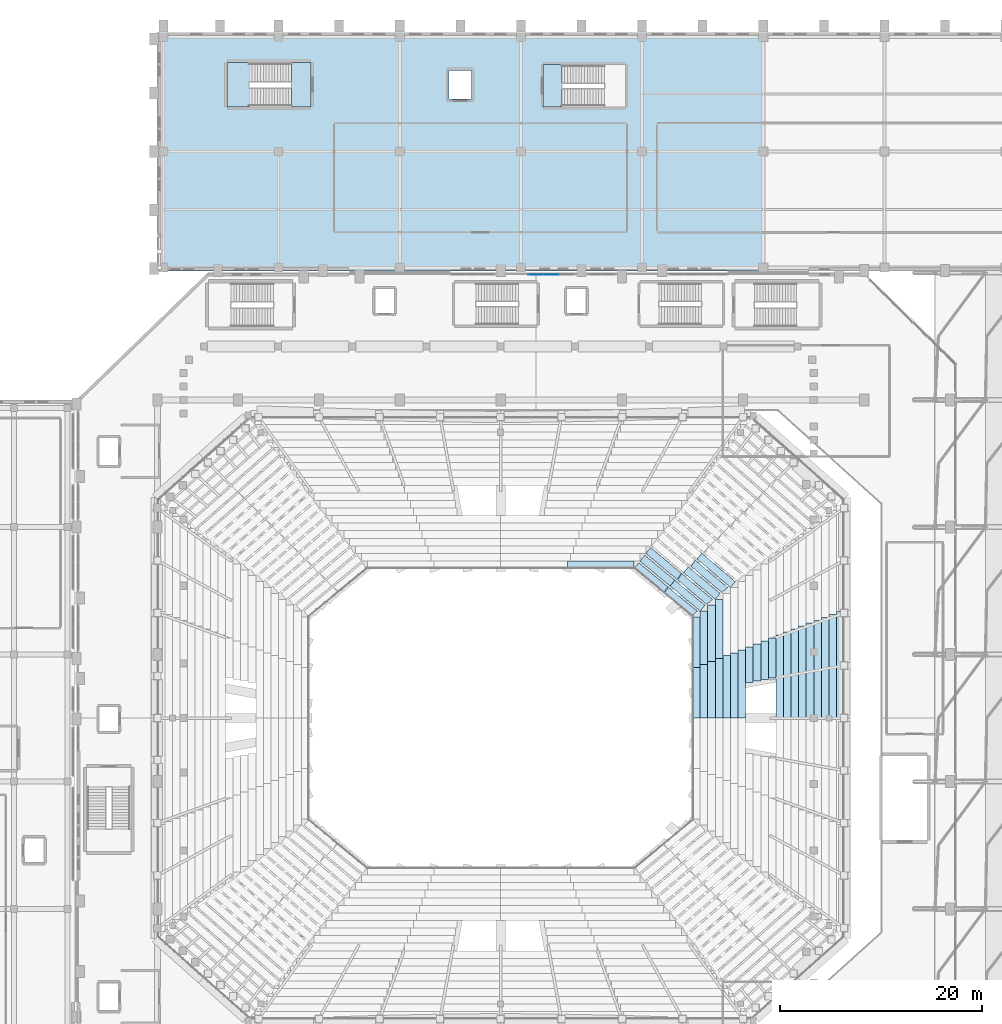
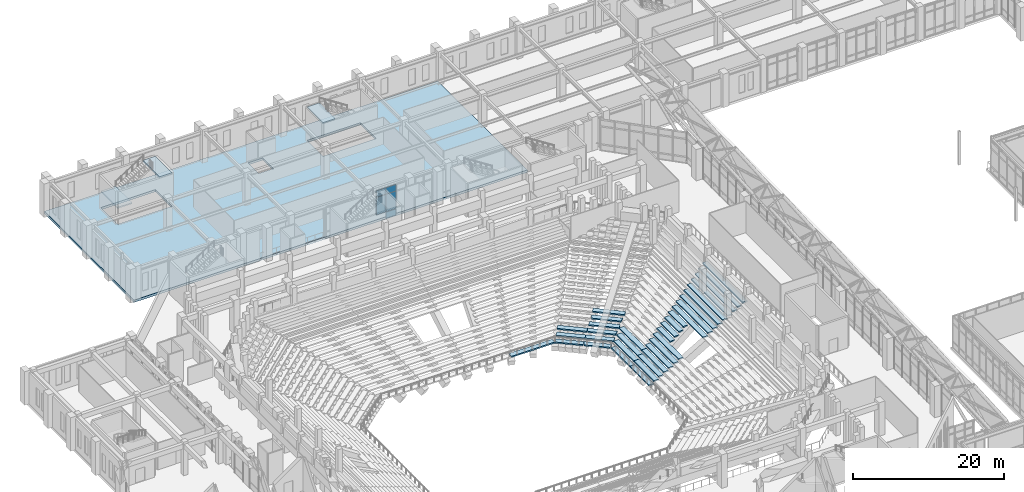
# One storey, part 104 of 159: 38 slabs, 5 plates, 3 elements without a shape of their own.
"""IFC4 building model written with IfcOpenShell, lengths in metres."""

from ifc_helpers import new_model, si_unit, derived_unit, direction, frame, origin, origin_2d, place, context, subcontext, project, spatial, polyline, rectangle, outline, extrude, material, layer, layer_set, type_object, element, aggregate, save


model = new_model("IFC4")

# Units and contexts
model_context = context("Model", 3, precision=1e-05, world=origin(), true_north=direction((0.0, 1.0)))
body_context = subcontext(model_context, "Body", "Model", "MODEL_VIEW")
ifc_project = project(units=[si_unit("LENGTHUNIT", "METRE"), si_unit("AREAUNIT", "SQUARE_METRE"), si_unit("VOLUMEUNIT", "CUBIC_METRE"), si_unit("PLANEANGLEUNIT", "RADIAN"), si_unit("MASSUNIT", "GRAM", prefix="KILO"), derived_unit("THERMALTRANSMITTANCEUNIT", [(si_unit("MASSUNIT", "GRAM", prefix="KILO"), 1), (si_unit("TIMEUNIT", "SECOND"), -3), (si_unit("THERMODYNAMICTEMPERATUREUNIT", "KELVIN"), -1)])], contexts=[model_context])

# Site, building, storey
site_placement = place(None, origin())
site = spatial("IfcSite", under=ifc_project, at=site_placement, CompositionType="ELEMENT")
building_placement = place(site_placement, origin())
building = spatial("IfcBuilding", under=site, at=building_placement, Name="Valcora Ridge Arena", CompositionType="ELEMENT")
storey_placement = place(building_placement, frame((0.0, 0.0, 6.0)))
storey = spatial("IfcBuildingStorey", under=building, at=storey_placement, Name="L01", CompositionType="ELEMENT", Elevation=6.0)

# Stair, slab
ifc_material_1 = material(Name="Concrete C40/50", Category="concrete")
stair_type_1 = type_object("IfcStairType", Name="TY-STAIR-ES09-54", PredefinedType="HALF_TURN_STAIR", material=ifc_material_1)
stair_1_placement = place(storey_placement, origin())
stair_1 = element("IfcStair", 1, at=stair_1_placement, inside=storey, type_object=stair_type_1, Name="ES09-54 STR-ES-0031", PredefinedType="HALF_TURN_STAIR")
ifc_layer_1 = layer(ifc_material_1, 0.199951171875, Name="Concrete C40/50")
ifc_layer_set_1 = layer_set([ifc_layer_1], Name="Concrete C40/50")
slab_type_1 = type_object("IfcSlabType", Name="TY-LAND-ES09-54", PredefinedType="LANDING", material=ifc_layer_set_1)
slab_1_placement = place(storey_placement, frame((0.0, 0.0, 5.199951171875)))
slab_1 = element("IfcSlab", 2, at=slab_1_placement, type_object=slab_type_1, Name="ES09-54 landing 2", PredefinedType="LANDING", context=body_context, shape_type="SweptSolid", body=[
    extrude(outline(polyline([(62.201904296875, 124.60205078125), (64.080078125, 124.60205078125), (64.080078125, 128.798095703125), (62.201904296875, 128.798095703125), (62.201904296875, 124.60205078125)])), origin(), (0.0, 0.0, 1.0), 0.199951171875),
])
aggregate(stair_1, [slab_1])

# Stair, slabs
stair_type_2 = type_object("IfcStairType", Name="TY-STAIR-ST09-54", PredefinedType="HALF_TURN_STAIR", material=ifc_material_1)
stair_2_placement = place(storey_placement, origin())
stair_2 = element("IfcStair", 3, at=stair_2_placement, inside=storey, type_object=stair_type_2, Name="ST09-54 STR-CR-0039", PredefinedType="HALF_TURN_STAIR")
ifc_layer_2 = layer(ifc_material_1, 0.199951171875, Name="Concrete C40/50")
ifc_layer_set_2 = layer_set([ifc_layer_2], Name="Concrete C40/50")
slab_type_2 = type_object("IfcSlabType", Name="TY-LAND-ST09-54", PredefinedType="LANDING", material=ifc_layer_set_2)
slab_2_placement = place(storey_placement, frame((0.0, 0.0, 2.5)))
slab_2 = element("IfcSlab", 4, at=slab_2_placement, type_object=slab_type_2, Name="ST09-54 landing 1", PredefinedType="LANDING", context=body_context, shape_type="SweptSolid", body=[
    extrude(outline(polyline([(30.882080078125, 124.60205078125), (33.110107421875, 124.60205078125), (33.110107421875, 128.998046875), (30.882080078125, 128.998046875), (30.882080078125, 124.60205078125)])), origin(), (0.0, 0.0, 1.0), 0.199951171875),
])
slab_3_placement = place(storey_placement, frame((0.0, 0.0, 5.199951171875)))
slab_3 = element("IfcSlab", 5, at=slab_3_placement, type_object=slab_type_2, Name="ST09-54 landing 2", PredefinedType="LANDING", context=body_context, shape_type="SweptSolid", body=[
    extrude(outline(polyline([(37.27001953125, 124.60205078125), (39.197998046875, 124.60205078125), (39.197998046875, 128.998046875), (37.27001953125, 128.998046875), (37.27001953125, 124.60205078125)])), origin(), (0.0, 0.0, 1.0), 0.199951171875),
])
aggregate(stair_2, [slab_2, slab_3])

# Curtain wall, plates
ifc_material_2 = material(Name="Anodised dark bronze architectural aluminium 6063-T6", Category="aluminium")
ifc_layer_3 = layer(ifc_material_2, 0.179931640625, Name="Anodised dark bronze architectural aluminium 6063-T6")
ifc_layer_set_3 = layer_set([ifc_layer_3], Name="Anodised dark bronze architectural aluminium 6063-T6")
curtain_wall_type = type_object("IfcCurtainWallType", Name="TY-CURTAINWALL-CW-V1-GOTH-046X50", PredefinedType="NOTDEFINED", material=ifc_layer_set_3)
curtain_wall_placement = place(storey_placement, origin())
curtain_wall = element("IfcCurtainWall", 6, at=curtain_wall_placement, inside=storey, type_object=curtain_wall_type, Name="CW-V1-GOTH-046X50 CW-0103", PredefinedType="NOTDEFINED")
ifc_material_3 = material(Name="Low-iron solar-control double glazing SHGC 0.28", Category="glass")
ifc_layer_4 = layer(ifc_material_3, 0.031982421875, Name="Low-iron solar-control double glazing SHGC 0.28")
ifc_layer_set_4 = layer_set([ifc_layer_4], Name="Low-iron solar-control double glazing SHGC 0.28")
plate_type_1 = type_object("IfcPlateType", Name="TY-PLT-CWP-1450X1010", PredefinedType="CURTAIN_PANEL", material=ifc_layer_set_4)
plate_1_placement = place(storey_placement, frame((61.47509765625, 108.0, 3.97021484375), z_axis=(0.0, 0.0, 1.0), x_axis=(1.0, 0.0, 0.0)))
plate_1 = element("IfcPlate", 7, at=plate_1_placement, type_object=plate_type_1, Name="CW-0103/P00-02", PredefinedType="CURTAIN_PANEL", context=body_context, shape_type="SweptSolid", body=[
    extrude(rectangle(XDim=1.449951171875, YDim=0.031982421875, at=origin_2d()), origin(), (0.0, 0.0, 1.0), 1.010009765625),
])
ifc_layer_5 = layer(ifc_material_3, 0.031982421875, Name="Low-iron solar-control double glazing SHGC 0.28")
ifc_layer_set_5 = layer_set([ifc_layer_5], Name="Low-iron solar-control double glazing SHGC 0.28")
plate_type_2 = type_object("IfcPlateType", Name="TY-PLT-CWP-1450X2830", PredefinedType="CURTAIN_PANEL", material=ifc_layer_set_5)
plate_2_placement = place(storey_placement, frame((61.47509765625, 108.0, 1.080078125), z_axis=(0.0, 0.0, 1.0), x_axis=(1.0, 0.0, 0.0)))
plate_2 = element("IfcPlate", 8, at=plate_2_placement, type_object=plate_type_2, Name="CW-0103/P00-01", PredefinedType="CURTAIN_PANEL", context=body_context, shape_type="SweptSolid", body=[
    extrude(rectangle(XDim=1.449951171875, YDim=0.031982421875, at=origin_2d()), origin(), (0.0, 0.0, 1.0), 2.830078125),
])
ifc_layer_6 = layer(ifc_material_3, 0.031982421875, Name="Low-iron solar-control double glazing SHGC 0.28")
ifc_layer_set_6 = layer_set([ifc_layer_6], Name="Low-iron solar-control double glazing SHGC 0.28")
plate_type_3 = type_object("IfcPlateType", Name="TY-PLT-CWP-1480X0960", PredefinedType="CURTAIN_PANEL", material=ifc_layer_set_6)
plate_3_placement = place(storey_placement, frame((63.0, 108.0, 0.06005859375), z_axis=(0.0, 0.0, 1.0), x_axis=(1.0, 0.0, 0.0)))
plate_3 = element("IfcPlate", 9, at=plate_3_placement, type_object=plate_type_3, Name="CW-0103/P01-00", PredefinedType="CURTAIN_PANEL", context=body_context, shape_type="SweptSolid", body=[
    extrude(rectangle(XDim=1.47998046875, YDim=0.031982421875, at=origin_2d()), origin(), (0.0, 0.0, 1.0), 0.9599609375),
])
ifc_layer_7 = layer(ifc_material_3, 0.031982421875, Name="Low-iron solar-control double glazing SHGC 0.28")
ifc_layer_set_7 = layer_set([ifc_layer_7], Name="Low-iron solar-control double glazing SHGC 0.28")
plate_type_4 = type_object("IfcPlateType", Name="TY-PLT-CWP-1480X1010", PredefinedType="CURTAIN_PANEL", material=ifc_layer_set_7)
plate_4_placement = place(storey_placement, frame((63.0, 108.0, 3.97021484375), z_axis=(0.0, 0.0, 1.0), x_axis=(1.0, 0.0, 0.0)))
plate_4 = element("IfcPlate", 10, at=plate_4_placement, type_object=plate_type_4, Name="CW-0103/P01-02", PredefinedType="CURTAIN_PANEL", context=body_context, shape_type="SweptSolid", body=[
    extrude(rectangle(XDim=1.47998046875, YDim=0.031982421875, at=origin_2d()), origin(), (0.0, 0.0, 1.0), 1.010009765625),
])
ifc_layer_8 = layer(ifc_material_3, 0.031982421875, Name="Low-iron solar-control double glazing SHGC 0.28")
ifc_layer_set_8 = layer_set([ifc_layer_8], Name="Low-iron solar-control double glazing SHGC 0.28")
plate_type_5 = type_object("IfcPlateType", Name="TY-PLT-CWP-1480X2830", PredefinedType="CURTAIN_PANEL", material=ifc_layer_set_8)
plate_5_placement = place(storey_placement, frame((63.0, 108.0, 1.080078125), z_axis=(0.0, 0.0, 1.0), x_axis=(1.0, 0.0, 0.0)))
plate_5 = element("IfcPlate", 11, at=plate_5_placement, type_object=plate_type_5, Name="CW-0103/P01-01", PredefinedType="CURTAIN_PANEL", context=body_context, shape_type="SweptSolid", body=[
    extrude(rectangle(XDim=1.47998046875, YDim=0.031982421875, at=origin_2d()), origin(), (0.0, 0.0, 1.0), 2.830078125),
])
aggregate(curtain_wall, [plate_2, plate_1, plate_3, plate_5, plate_4])

# Slabs
ifc_layer_9 = layer(ifc_material_1, 0.360107421875, Name="Concrete C40/50")
ifc_layer_set_9 = layer_set([ifc_layer_9], Name="Concrete C40/50")
slab_type_3 = type_object("IfcSlabType", Name="TY-SLAB-SL-V5-360-W", PredefinedType="FLOOR", material=ifc_layer_set_9)
slab_4_placement = place(storey_placement, frame((0.0, 0.0, -0.360107421875)))
element("IfcSlab", 12, at=slab_4_placement, inside=storey, type_object=slab_type_3, Name="SL-V5-360-W SLB-0070", PredefinedType="FLOOR", context=body_context, shape_type="SweptSolid", body=[
    extrude(outline(polyline([(24.0, 132.0), (24.0, 108.35009765625), (84.0, 108.35009765625), (84.0, 132.0), (24.0, 132.0)]), holes=[polyline([(39.199951171875, 129.0), (30.8798828125, 129.0), (30.8798828125, 124.60009765625), (39.199951171875, 124.60009765625), (39.199951171875, 129.0)]), polyline([(62.199951171875, 128.800048828125), (62.199951171875, 124.60009765625), (70.360107421875, 124.60009765625), (70.360107421875, 128.800048828125), (62.199951171875, 128.800048828125)]), polyline([(55.1201171875, 128.219970703125), (52.8798828125, 128.219970703125), (52.8798828125, 125.3798828125), (55.1201171875, 125.3798828125), (55.1201171875, 128.219970703125)])]), origin(), (0.0, 0.0, 1.0), 0.360107421875),
])
ifc_material_4 = material(Name="Precast concrete C45/55", Category="concrete")
ifc_layer_10 = layer(ifc_material_4, 0.199951171875, Name="Precast concrete C45/55")
ifc_layer_set_10 = layer_set([ifc_layer_10], Name="Precast concrete C45/55")
slab_type_4 = type_object("IfcSlabType", Name="TY-SLAB-ST-LOW-L035", PredefinedType="USERDEFINED", material=ifc_layer_set_10)
slab_5_placement = place(storey_placement, frame((0.0, 0.0, -2.52001953125)))
element("IfcSlab", 13, at=slab_5_placement, inside=storey, type_object=slab_type_4, Name="ST-LOW-L035 SLB-TR-0177", ObjectType="SEATING TIER", PredefinedType="USERDEFINED", context=body_context, shape_type="SweptSolid", body=[
    extrude(outline(polyline([(82.25, 67.623779296875), (82.25, 71.1474609375), (83.0, 71.1474609375), (83.0, 67.623779296875), (82.25, 67.623779296875)])), origin(), (0.0, 0.0, 1.0), 0.199951171875),
])
ifc_layer_11 = layer(ifc_material_4, 0.199951171875, Name="Precast concrete C45/55")
ifc_layer_set_11 = layer_set([ifc_layer_11], Name="Precast concrete C45/55")
slab_type_5 = type_object("IfcSlabType", Name="TY-SLAB-ST-LOW-L037", PredefinedType="USERDEFINED", material=ifc_layer_set_11)
slab_6_placement = place(storey_placement, frame((0.0, 0.0, -2.080078125)))
element("IfcSlab", 14, at=slab_6_placement, inside=storey, type_object=slab_type_5, Name="ST-LOW-L037 SLB-TR-0201", ObjectType="SEATING TIER", PredefinedType="USERDEFINED", context=body_context, shape_type="SweptSolid", body=[
    extrude(outline(polyline([(83.0, 67.77001953125), (83.0, 71.43994140625), (83.75, 71.43994140625), (83.75, 67.77001953125), (83.0, 67.77001953125)])), origin(), (0.0, 0.0, 1.0), 0.2001953125),
])
ifc_layer_12 = layer(ifc_material_4, 0.199951171875, Name="Precast concrete C45/55")
ifc_layer_set_12 = layer_set([ifc_layer_12], Name="Precast concrete C45/55")
slab_type_6 = type_object("IfcSlabType", Name="TY-SLAB-ST-LOW-L038", PredefinedType="USERDEFINED", material=ifc_layer_set_12)
slab_7_placement = place(storey_placement, frame((0.0, 0.0, -5.60009765625)))
element("IfcSlab", 15, at=slab_7_placement, inside=storey, type_object=slab_type_6, Name="ST-LOW-L038 SLB-TR-0012", ObjectType="SEATING TIER", PredefinedType="USERDEFINED", context=body_context, shape_type="SweptSolid", body=[
    extrude(outline(polyline([(74.10009765625, 76.5), (71.199951171875, 78.89990234375), (71.67822265625, 79.477783203125), (74.578125, 77.077880859375), (74.10009765625, 76.5)])), origin(), (0.0, 0.0, 1.0), 0.2001953125),
])
slab_8_placement = place(storey_placement, frame((0.0, 0.0, -1.639892578125)))
element("IfcSlab", 16, at=slab_8_placement, inside=storey, type_object=slab_type_6, Name="ST-LOW-L038 SLB-TR-0225", ObjectType="SEATING TIER", PredefinedType="USERDEFINED", context=body_context, shape_type="SweptSolid", body=[
    extrude(outline(polyline([(83.75, 67.916259765625), (83.75, 71.732421875), (84.5, 71.732421875), (84.5, 67.916259765625), (83.75, 67.916259765625)])), origin(), (0.0, 0.0, 1.0), 0.199951171875),
])
ifc_layer_13 = layer(ifc_material_4, 0.199951171875, Name="Precast concrete C45/55")
ifc_layer_set_13 = layer_set([ifc_layer_13], Name="Precast concrete C45/55")
slab_type_7 = type_object("IfcSlabType", Name="TY-SLAB-ST-LOW-L039", PredefinedType="USERDEFINED", material=ifc_layer_set_13)
slab_9_placement = place(storey_placement, frame((0.0, 0.0, -5.159912109375)))
element("IfcSlab", 17, at=slab_9_placement, inside=storey, type_object=slab_type_7, Name="ST-LOW-L039 SLB-TR-0035", ObjectType="SEATING TIER", PredefinedType="USERDEFINED", context=body_context, shape_type="SweptSolid", body=[
    extrude(outline(polyline([(77.75, 74.68505859375), (74.767578125, 77.16748046875), (75.247314453125, 77.743896484375), (78.229736328125, 75.261474609375), (77.75, 74.68505859375)])), origin(), (0.0, 0.0, 1.0), 0.199951171875),
])
slab_10_placement = place(storey_placement, frame((0.0, 0.0, -5.159912109375)))
element("IfcSlab", 18, at=slab_10_placement, inside=storey, type_object=slab_type_7, Name="ST-LOW-L039 SLB-TR-0036", ObjectType="SEATING TIER", PredefinedType="USERDEFINED", context=body_context, shape_type="SweptSolid", body=[
    extrude(outline(polyline([(74.767578125, 77.16748046875), (71.784912109375, 79.64990234375), (72.264892578125, 80.226318359375), (75.247314453125, 77.743896484375), (74.767578125, 77.16748046875)])), origin(), (0.0, 0.0, 1.0), 0.199951171875),
])
ifc_layer_14 = layer(ifc_material_4, 0.199951171875, Name="Precast concrete C45/55")
ifc_layer_set_14 = layer_set([ifc_layer_14], Name="Precast concrete C45/55")
slab_type_8 = type_object("IfcSlabType", Name="TY-SLAB-ST-LOW-L040", PredefinedType="USERDEFINED", material=ifc_layer_set_14)
slab_11_placement = place(storey_placement, frame((0.0, 0.0, -4.719970703125)))
element("IfcSlab", 19, at=slab_11_placement, inside=storey, type_object=slab_type_8, Name="ST-LOW-L040 SLB-TR-0060", ObjectType="SEATING TIER", PredefinedType="USERDEFINED", context=body_context, shape_type="SweptSolid", body=[
    extrude(outline(polyline([(75.43505859375, 77.8349609375), (72.3701171875, 80.39990234375), (72.851318359375, 80.97509765625), (75.916259765625, 78.41015625), (75.43505859375, 77.8349609375)])), origin(), (0.0, 0.0, 1.0), 0.199951171875),
])
slab_12_placement = place(storey_placement, frame((0.0, 0.0, -1.199951171875)))
element("IfcSlab", 20, at=slab_12_placement, inside=storey, type_object=slab_type_8, Name="ST-LOW-L040 SLB-TR-0249", ObjectType="SEATING TIER", PredefinedType="USERDEFINED", context=body_context, shape_type="SweptSolid", body=[
    extrude(outline(polyline([(84.5, 68.0625), (84.5, 72.02490234375), (85.25, 72.02490234375), (85.25, 68.0625), (84.5, 68.0625)])), origin(), (0.0, 0.0, 1.0), 0.199951171875),
])
ifc_layer_15 = layer(ifc_material_4, 0.199951171875, Name="Precast concrete C45/55")
ifc_layer_set_15 = layer_set([ifc_layer_15], Name="Precast concrete C45/55")
slab_type_9 = type_object("IfcSlabType", Name="TY-SLAB-ST-LOW-L041", PredefinedType="USERDEFINED", material=ifc_layer_set_15)
slab_13_placement = place(storey_placement, frame((0.0, 0.0, -4.280029296875)))
element("IfcSlab", 21, at=slab_13_placement, inside=storey, type_object=slab_type_9, Name="ST-LOW-L041 SLB-TR-0083", ObjectType="SEATING TIER", PredefinedType="USERDEFINED", context=body_context, shape_type="SweptSolid", body=[
    extrude(outline(polyline([(79.25, 75.85498046875), (76.1025390625, 78.50244140625), (76.585205078125, 79.076416015625), (79.73291015625, 76.428955078125), (79.25, 75.85498046875)])), origin(), (0.0, 0.0, 1.0), 0.199951171875),
])
ifc_layer_16 = layer(ifc_material_4, 0.199951171875, Name="Precast concrete C45/55")
ifc_layer_set_16 = layer_set([ifc_layer_16], Name="Precast concrete C45/55")
slab_type_10 = type_object("IfcSlabType", Name="TY-SLAB-ST-LOW-L043", PredefinedType="USERDEFINED", material=ifc_layer_set_16)
slab_14_placement = place(storey_placement, frame((0.0, 0.0, -3.39990234375)))
element("IfcSlab", 22, at=slab_14_placement, inside=storey, type_object=slab_type_10, Name="ST-LOW-L043 SLB-TR-0131", ObjectType="SEATING TIER", PredefinedType="USERDEFINED", context=body_context, shape_type="SweptSolid", body=[
    extrude(outline(polyline([(80.75, 77.02490234375), (77.4375, 79.83740234375), (77.9228515625, 80.4091796875), (81.2353515625, 77.5966796875), (80.75, 77.02490234375)])), origin(), (0.0, 0.0, 1.0), 0.199951171875),
])
ifc_layer_17 = layer(ifc_material_4, 0.199951171875, Name="Precast concrete C45/55")
ifc_layer_set_17 = layer_set([ifc_layer_17], Name="Precast concrete C45/55")
slab_type_11 = type_object("IfcSlabType", Name="TY-SLAB-ST-LOW-L050", PredefinedType="USERDEFINED", material=ifc_layer_set_17)
slab_15_placement = place(storey_placement, frame((0.0, 0.0, -5.60009765625)))
element("IfcSlab", 23, at=slab_15_placement, inside=storey, type_object=slab_type_11, Name="ST-LOW-L050 SLB-TR-0009", ObjectType="SEATING TIER", PredefinedType="USERDEFINED", context=body_context, shape_type="SweptSolid", body=[
    extrude(outline(polyline([(77.0, 64.10009765625), (77.0, 69.10009765625), (77.75, 69.10009765625), (77.75, 64.10009765625), (77.0, 64.10009765625)])), origin(), (0.0, 0.0, 1.0), 0.2001953125),
])
slab_16_placement = place(storey_placement, frame((0.0, 0.0, -5.60009765625)))
element("IfcSlab", 24, at=slab_16_placement, inside=storey, type_object=slab_type_11, Name="ST-LOW-L050 SLB-TR-0010", ObjectType="SEATING TIER", PredefinedType="USERDEFINED", context=body_context, shape_type="SweptSolid", body=[
    extrude(outline(polyline([(77.0, 69.10009765625), (77.0, 74.10009765625), (77.75, 74.10009765625), (77.75, 69.10009765625), (77.0, 69.10009765625)])), origin(), (0.0, 0.0, 1.0), 0.2001953125),
])
ifc_layer_18 = layer(ifc_material_4, 0.199951171875, Name="Precast concrete C45/55")
ifc_layer_set_18 = layer_set([ifc_layer_18], Name="Precast concrete C45/55")
slab_type_12 = type_object("IfcSlabType", Name="TY-SLAB-ST-LOW-L053", PredefinedType="USERDEFINED", material=ifc_layer_set_18)
slab_17_placement = place(storey_placement, frame((0.0, 0.0, -5.159912109375)))
element("IfcSlab", 25, at=slab_17_placement, inside=storey, type_object=slab_type_12, Name="ST-LOW-L053 SLB-TR-0033", ObjectType="SEATING TIER", PredefinedType="USERDEFINED", context=body_context, shape_type="SweptSolid", body=[
    extrude(outline(polyline([(77.75, 64.10009765625), (77.75, 69.392578125), (78.5, 69.392578125), (78.5, 64.10009765625), (77.75, 64.10009765625)])), origin(), (0.0, 0.0, 1.0), 0.199951171875),
])
slab_18_placement = place(storey_placement, frame((0.0, 0.0, -5.159912109375)))
element("IfcSlab", 26, at=slab_18_placement, inside=storey, type_object=slab_type_12, Name="ST-LOW-L053 SLB-TR-0034", ObjectType="SEATING TIER", PredefinedType="USERDEFINED", context=body_context, shape_type="SweptSolid", body=[
    extrude(outline(polyline([(77.75, 69.392578125), (77.75, 74.68505859375), (78.5, 74.68505859375), (78.5, 69.392578125), (77.75, 69.392578125)])), origin(), (0.0, 0.0, 1.0), 0.199951171875),
])
ifc_layer_19 = layer(ifc_material_4, 0.199951171875, Name="Precast concrete C45/55")
ifc_layer_set_19 = layer_set([ifc_layer_19], Name="Precast concrete C45/55")
slab_type_13 = type_object("IfcSlabType", Name="TY-SLAB-ST-LOW-L056", PredefinedType="USERDEFINED", material=ifc_layer_set_19)
slab_19_placement = place(storey_placement, frame((0.0, 0.0, -4.719970703125)))
element("IfcSlab", 27, at=slab_19_placement, inside=storey, type_object=slab_type_13, Name="ST-LOW-L056 SLB-TR-0057", ObjectType="SEATING TIER", PredefinedType="USERDEFINED", context=body_context, shape_type="SweptSolid", body=[
    extrude(outline(polyline([(78.5, 64.10009765625), (78.5, 69.68505859375), (79.25, 69.68505859375), (79.25, 64.10009765625), (78.5, 64.10009765625)])), origin(), (0.0, 0.0, 1.0), 0.199951171875),
])
slab_20_placement = place(storey_placement, frame((0.0, 0.0, -4.719970703125)))
element("IfcSlab", 28, at=slab_20_placement, inside=storey, type_object=slab_type_13, Name="ST-LOW-L056 SLB-TR-0058", ObjectType="SEATING TIER", PredefinedType="USERDEFINED", context=body_context, shape_type="SweptSolid", body=[
    extrude(outline(polyline([(78.5, 69.68505859375), (78.5, 75.27001953125), (79.25, 75.27001953125), (79.25, 69.68505859375), (78.5, 69.68505859375)])), origin(), (0.0, 0.0, 1.0), 0.199951171875),
])
ifc_layer_20 = layer(ifc_material_4, 0.199951171875, Name="Precast concrete C45/55")
ifc_layer_set_20 = layer_set([ifc_layer_20], Name="Precast concrete C45/55")
slab_type_14 = type_object("IfcSlabType", Name="TY-SLAB-ST-LOW-L059", PredefinedType="USERDEFINED", material=ifc_layer_set_20)
slab_21_placement = place(storey_placement, frame((0.0, 0.0, -4.280029296875)))
element("IfcSlab", 29, at=slab_21_placement, inside=storey, type_object=slab_type_14, Name="ST-LOW-L059 SLB-TR-0081", ObjectType="SEATING TIER", PredefinedType="USERDEFINED", context=body_context, shape_type="SweptSolid", body=[
    extrude(outline(polyline([(79.25, 64.10009765625), (79.25, 69.9775390625), (80.0, 69.9775390625), (80.0, 64.10009765625), (79.25, 64.10009765625)])), origin(), (0.0, 0.0, 1.0), 0.199951171875),
])
slab_22_placement = place(storey_placement, frame((0.0, 0.0, -4.280029296875)))
element("IfcSlab", 30, at=slab_22_placement, inside=storey, type_object=slab_type_14, Name="ST-LOW-L059 SLB-TR-0082", ObjectType="SEATING TIER", PredefinedType="USERDEFINED", context=body_context, shape_type="SweptSolid", body=[
    extrude(outline(polyline([(79.25, 69.9775390625), (79.25, 75.85498046875), (80.0, 75.85498046875), (80.0, 69.9775390625), (79.25, 69.9775390625)])), origin(), (0.0, 0.0, 1.0), 0.199951171875),
])
ifc_layer_21 = layer(ifc_material_4, 0.199951171875, Name="Precast concrete C45/55")
ifc_layer_set_21 = layer_set([ifc_layer_21], Name="Precast concrete C45/55")
slab_type_15 = type_object("IfcSlabType", Name="TY-SLAB-ST-LOW-L062", PredefinedType="USERDEFINED", material=ifc_layer_set_21)
slab_23_placement = place(storey_placement, frame((0.0, 0.0, -3.840087890625)))
element("IfcSlab", 31, at=slab_23_placement, inside=storey, type_object=slab_type_15, Name="ST-LOW-L062 SLB-TR-0105", ObjectType="SEATING TIER", PredefinedType="USERDEFINED", context=body_context, shape_type="SweptSolid", body=[
    extrude(outline(polyline([(80.0, 64.10009765625), (80.0, 70.27001953125), (80.75, 70.27001953125), (80.75, 64.10009765625), (80.0, 64.10009765625)])), origin(), (0.0, 0.0, 1.0), 0.2001953125),
])
ifc_layer_22 = layer(ifc_material_4, 0.199951171875, Name="Precast concrete C45/55")
ifc_layer_set_22 = layer_set([ifc_layer_22], Name="Precast concrete C45/55")
slab_type_16 = type_object("IfcSlabType", Name="TY-SLAB-ST-LOW-L065", PredefinedType="USERDEFINED", material=ifc_layer_set_22)
slab_24_placement = place(storey_placement, frame((0.0, 0.0, -3.39990234375)))
element("IfcSlab", 32, at=slab_24_placement, inside=storey, type_object=slab_type_16, Name="ST-LOW-L065 SLB-TR-0129", ObjectType="SEATING TIER", PredefinedType="USERDEFINED", context=body_context, shape_type="SweptSolid", body=[
    extrude(outline(polyline([(80.75, 64.10009765625), (80.75, 70.5625), (81.5, 70.5625), (81.5, 64.10009765625), (80.75, 64.10009765625)])), origin(), (0.0, 0.0, 1.0), 0.199951171875),
])
ifc_layer_23 = layer(ifc_material_4, 0.199951171875, Name="Precast concrete C45/55")
ifc_layer_set_23 = layer_set([ifc_layer_23], Name="Precast concrete C45/55")
slab_type_17 = type_object("IfcSlabType", Name="TY-SLAB-ST-LOW-L066", PredefinedType="USERDEFINED", material=ifc_layer_set_23)
slab_25_placement = place(storey_placement, frame((0.0, 0.0, -5.60009765625)))
element("IfcSlab", 33, at=slab_25_placement, inside=storey, type_object=slab_type_17, Name="ST-LOW-L066 SLB-TR-0013", ObjectType="SEATING TIER", PredefinedType="USERDEFINED", context=body_context, shape_type="SweptSolid", body=[
    extrude(outline(polyline([(71.199951171875, 78.89990234375), (64.60009765625, 78.89990234375), (64.60009765625, 79.64990234375), (71.199951171875, 79.64990234375), (71.199951171875, 78.89990234375)])), origin(), (0.0, 0.0, 1.0), 0.2001953125),
])
ifc_layer_24 = layer(ifc_material_4, 0.199951171875, Name="Precast concrete C45/55")
ifc_layer_set_24 = layer_set([ifc_layer_24], Name="Precast concrete C45/55")
slab_type_18 = type_object("IfcSlabType", Name="TY-SLAB-ST-LOW-L068", PredefinedType="USERDEFINED", material=ifc_layer_set_24)
slab_26_placement = place(storey_placement, frame((0.0, 0.0, -2.9599609375)))
element("IfcSlab", 34, at=slab_26_placement, inside=storey, type_object=slab_type_18, Name="ST-LOW-L068 SLB-TR-0153", ObjectType="SEATING TIER", PredefinedType="USERDEFINED", context=body_context, shape_type="SweptSolid", body=[
    extrude(outline(polyline([(81.5, 64.10009765625), (81.5, 70.85498046875), (82.25, 70.85498046875), (82.25, 64.10009765625), (81.5, 64.10009765625)])), origin(), (0.0, 0.0, 1.0), 0.199951171875),
])
ifc_layer_25 = layer(ifc_material_4, 0.199951171875, Name="Precast concrete C45/55")
ifc_layer_set_25 = layer_set([ifc_layer_25], Name="Precast concrete C45/55")
slab_type_19 = type_object("IfcSlabType", Name="TY-SLAB-ST-LOW-L082", PredefinedType="USERDEFINED", material=ifc_layer_set_25)
slab_27_placement = place(storey_placement, frame((0.0, 0.0, -0.760009765625)))
element("IfcSlab", 35, at=slab_27_placement, inside=storey, type_object=slab_type_19, Name="ST-LOW-L082 SLB-TR-0273", ObjectType="SEATING TIER", PredefinedType="USERDEFINED", context=body_context, shape_type="SweptSolid", body=[
    extrude(outline(polyline([(85.25, 64.10009765625), (85.25, 72.3173828125), (86.0, 72.3173828125), (86.0, 64.10009765625), (85.25, 64.10009765625)])), origin(), (0.0, 0.0, 1.0), 0.199951171875),
])
ifc_layer_26 = layer(ifc_material_4, 0.199951171875, Name="Precast concrete C45/55")
ifc_layer_set_26 = layer_set([ifc_layer_26], Name="Precast concrete C45/55")
slab_type_20 = type_object("IfcSlabType", Name="TY-SLAB-ST-LOW-L085", PredefinedType="USERDEFINED", material=ifc_layer_set_26)
slab_28_placement = place(storey_placement, frame((0.0, 0.0, -0.320068359375)))
element("IfcSlab", 36, at=slab_28_placement, inside=storey, type_object=slab_type_20, Name="ST-LOW-L085 SLB-TR-0297", ObjectType="SEATING TIER", PredefinedType="USERDEFINED", context=body_context, shape_type="SweptSolid", body=[
    extrude(outline(polyline([(86.0, 64.10009765625), (86.0, 72.610107421875), (86.75, 72.610107421875), (86.75, 64.10009765625), (86.0, 64.10009765625)])), origin(), (0.0, 0.0, 1.0), 0.199951171875),
])
ifc_layer_27 = layer(ifc_material_4, 0.199951171875, Name="Precast concrete C45/55")
ifc_layer_set_27 = layer_set([ifc_layer_27], Name="Precast concrete C45/55")
slab_type_21 = type_object("IfcSlabType", Name="TY-SLAB-ST-LOW-L088", PredefinedType="USERDEFINED", material=ifc_layer_set_27)
slab_29_placement = place(storey_placement, frame((0.0, 0.0, 0.1201171875)))
element("IfcSlab", 37, at=slab_29_placement, inside=storey, type_object=slab_type_21, Name="ST-LOW-L088 SLB-TR-0321", ObjectType="SEATING TIER", PredefinedType="USERDEFINED", context=body_context, shape_type="SweptSolid", body=[
    extrude(outline(polyline([(86.75, 64.10009765625), (86.75, 72.902587890625), (87.5, 72.902587890625), (87.5, 64.10009765625), (86.75, 64.10009765625)])), origin(), (0.0, 0.0, 1.0), 0.199951171875),
])
ifc_layer_28 = layer(ifc_material_4, 0.199951171875, Name="Precast concrete C45/55")
ifc_layer_set_28 = layer_set([ifc_layer_28], Name="Precast concrete C45/55")
slab_type_22 = type_object("IfcSlabType", Name="TY-SLAB-ST-LOW-L091", PredefinedType="USERDEFINED", material=ifc_layer_set_28)
slab_30_placement = place(storey_placement, frame((0.0, 0.0, 0.56005859375)))
element("IfcSlab", 38, at=slab_30_placement, inside=storey, type_object=slab_type_22, Name="ST-LOW-L091 SLB-TR-0345", ObjectType="SEATING TIER", PredefinedType="USERDEFINED", context=body_context, shape_type="SweptSolid", body=[
    extrude(outline(polyline([(87.5, 64.10009765625), (87.5, 73.195068359375), (88.25, 73.195068359375), (88.25, 64.10009765625), (87.5, 64.10009765625)])), origin(), (0.0, 0.0, 1.0), 0.199951171875),
])
ifc_layer_29 = layer(ifc_material_4, 0.199951171875, Name="Precast concrete C45/55")
ifc_layer_set_29 = layer_set([ifc_layer_29], Name="Precast concrete C45/55")
slab_type_23 = type_object("IfcSlabType", Name="TY-SLAB-ST-LOW-L094", PredefinedType="USERDEFINED", material=ifc_layer_set_29)
slab_31_placement = place(storey_placement, frame((0.0, 0.0, 1.0)))
element("IfcSlab", 39, at=slab_31_placement, inside=storey, type_object=slab_type_23, Name="ST-LOW-L094 SLB-TR-0369", ObjectType="SEATING TIER", PredefinedType="USERDEFINED", context=body_context, shape_type="SweptSolid", body=[
    extrude(outline(polyline([(88.25, 64.10009765625), (88.25, 73.487548828125), (89.0, 73.487548828125), (89.0, 64.10009765625), (88.25, 64.10009765625)])), origin(), (0.0, 0.0, 1.0), 0.199951171875),
])
ifc_layer_30 = layer(ifc_material_4, 0.199951171875, Name="Precast concrete C45/55")
ifc_layer_set_30 = layer_set([ifc_layer_30], Name="Precast concrete C45/55")
slab_type_24 = type_object("IfcSlabType", Name="TY-SLAB-ST-LOW-L097", PredefinedType="USERDEFINED", material=ifc_layer_set_30)
slab_32_placement = place(storey_placement, frame((0.0, 0.0, 1.43994140625)))
element("IfcSlab", 40, at=slab_32_placement, inside=storey, type_object=slab_type_24, Name="ST-LOW-L097 SLB-TR-0393", ObjectType="SEATING TIER", PredefinedType="USERDEFINED", context=body_context, shape_type="SweptSolid", body=[
    extrude(outline(polyline([(89.0, 64.10009765625), (89.0, 73.780029296875), (89.75, 73.780029296875), (89.75, 64.10009765625), (89.0, 64.10009765625)])), origin(), (0.0, 0.0, 1.0), 0.199951171875),
])
ifc_layer_31 = layer(ifc_material_4, 0.199951171875, Name="Precast concrete C45/55")
ifc_layer_set_31 = layer_set([ifc_layer_31], Name="Precast concrete C45/55")
slab_type_25 = type_object("IfcSlabType", Name="TY-SLAB-ST-LOW-L100", PredefinedType="USERDEFINED", material=ifc_layer_set_31)
slab_33_placement = place(storey_placement, frame((0.0, 0.0, 1.8798828125)))
element("IfcSlab", 41, at=slab_33_placement, inside=storey, type_object=slab_type_25, Name="ST-LOW-L100 SLB-TR-0417", ObjectType="SEATING TIER", PredefinedType="USERDEFINED", context=body_context, shape_type="SweptSolid", body=[
    extrude(outline(polyline([(89.75, 64.10009765625), (89.75, 74.072509765625), (90.5, 74.072509765625), (90.5, 64.10009765625), (89.75, 64.10009765625)])), origin(), (0.0, 0.0, 1.0), 0.2001953125),
])
ifc_layer_32 = layer(ifc_material_4, 0.199951171875, Name="Precast concrete C45/55")
ifc_layer_set_32 = layer_set([ifc_layer_32], Name="Precast concrete C45/55")
slab_type_26 = type_object("IfcSlabType", Name="TY-SLAB-ST-LOW-L103", PredefinedType="USERDEFINED", material=ifc_layer_set_32)
slab_34_placement = place(storey_placement, frame((0.0, 0.0, 2.320068359375)))
element("IfcSlab", 42, at=slab_34_placement, inside=storey, type_object=slab_type_26, Name="ST-LOW-L103 SLB-TR-0441", ObjectType="SEATING TIER", PredefinedType="USERDEFINED", context=body_context, shape_type="SweptSolid", body=[
    extrude(outline(polyline([(90.5, 64.10009765625), (90.5, 74.364990234375), (91.25, 74.364990234375), (91.25, 64.10009765625), (90.5, 64.10009765625)])), origin(), (0.0, 0.0, 1.0), 0.199951171875),
])
ifc_layer_33 = layer(ifc_material_4, 0.199951171875, Name="Precast concrete C45/55")
ifc_layer_set_33 = layer_set([ifc_layer_33], Name="Precast concrete C45/55")
slab_type_27 = type_object("IfcSlabType", Name="TY-SLAB-ST-LOW-L106", PredefinedType="USERDEFINED", material=ifc_layer_set_33)
slab_35_placement = place(storey_placement, frame((0.0, 0.0, 2.760009765625)))
element("IfcSlab", 43, at=slab_35_placement, inside=storey, type_object=slab_type_27, Name="ST-LOW-L106 SLB-TR-0465", ObjectType="SEATING TIER", PredefinedType="USERDEFINED", context=body_context, shape_type="SweptSolid", body=[
    extrude(outline(polyline([(91.25, 64.10009765625), (91.25, 74.657470703125), (92.0, 74.657470703125), (92.0, 64.10009765625), (91.25, 64.10009765625)])), origin(), (0.0, 0.0, 1.0), 0.199951171875),
])
ifc_layer_34 = layer(ifc_material_4, 0.199951171875, Name="Precast concrete C45/55")
ifc_layer_set_34 = layer_set([ifc_layer_34], Name="Precast concrete C45/55")
slab_type_28 = type_object("IfcSlabType", Name="TY-SLAB-ST-LOW-M038", PredefinedType="USERDEFINED", material=ifc_layer_set_34)
slab_36_placement = place(storey_placement, frame((0.0, 0.0, -5.60009765625)))
element("IfcSlab", 44, at=slab_36_placement, inside=storey, type_object=slab_type_28, Name="ST-LOW-M038 SLB-TR-0011", ObjectType="SEATING TIER", PredefinedType="USERDEFINED", context=body_context, shape_type="SweptSolid", body=[
    extrude(outline(polyline([(76.90771484375, 74.176513671875), (74.1923828125, 76.423583984375), (74.578125, 77.077880859375), (77.478271484375, 74.677734375), (76.90771484375, 74.176513671875)])), origin(), (0.0, 0.0, 1.0), 0.2001953125),
])
ifc_layer_35 = layer(ifc_material_4, 0.199951171875, Name="Precast concrete C45/55")
ifc_layer_set_35 = layer_set([ifc_layer_35], Name="Precast concrete C45/55")
slab_type_29 = type_object("IfcSlabType", Name="TY-SLAB-ST-LOW-M040", PredefinedType="USERDEFINED", material=ifc_layer_set_35)
slab_37_placement = place(storey_placement, frame((0.0, 0.0, -4.719970703125)))
element("IfcSlab", 45, at=slab_37_placement, inside=storey, type_object=slab_type_29, Name="ST-LOW-M040 SLB-TR-0059", ObjectType="SEATING TIER", PredefinedType="USERDEFINED", context=body_context, shape_type="SweptSolid", body=[
    extrude(outline(polyline([(78.407958984375, 75.346923828125), (75.527099609375, 77.758056640625), (75.916259765625, 78.41015625), (78.981201171875, 75.84521484375), (78.407958984375, 75.346923828125)])), origin(), (0.0, 0.0, 1.0), 0.199951171875),
])
ifc_layer_36 = layer(ifc_material_4, 0.199951171875, Name="Precast concrete C45/55")
ifc_layer_set_36 = layer_set([ifc_layer_36], Name="Precast concrete C45/55")
slab_type_30 = type_object("IfcSlabType", Name="TY-SLAB-ST-LOW-M042", PredefinedType="USERDEFINED", material=ifc_layer_set_36)
slab_38_placement = place(storey_placement, frame((0.0, 0.0, -3.840087890625)))
element("IfcSlab", 46, at=slab_38_placement, inside=storey, type_object=slab_type_30, Name="ST-LOW-M042 SLB-TR-0107", ObjectType="SEATING TIER", PredefinedType="USERDEFINED", context=body_context, shape_type="SweptSolid", body=[
    extrude(outline(polyline([(79.908447265625, 76.517578125), (76.861572265625, 79.092529296875), (77.254150390625, 79.742919921875), (80.484130859375, 77.0126953125), (79.908447265625, 76.517578125)])), origin(), (0.0, 0.0, 1.0), 0.2001953125),
])

save(model, "model.ifc")
